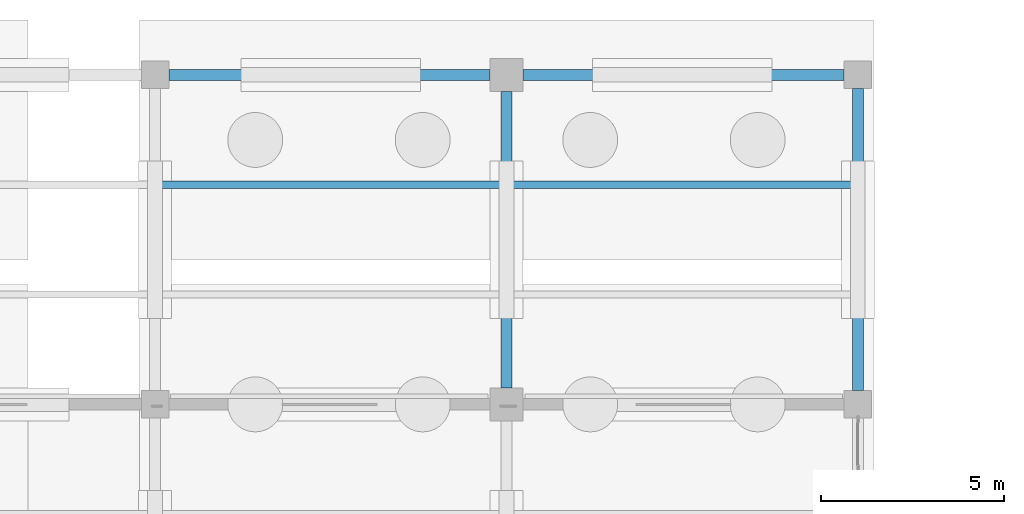
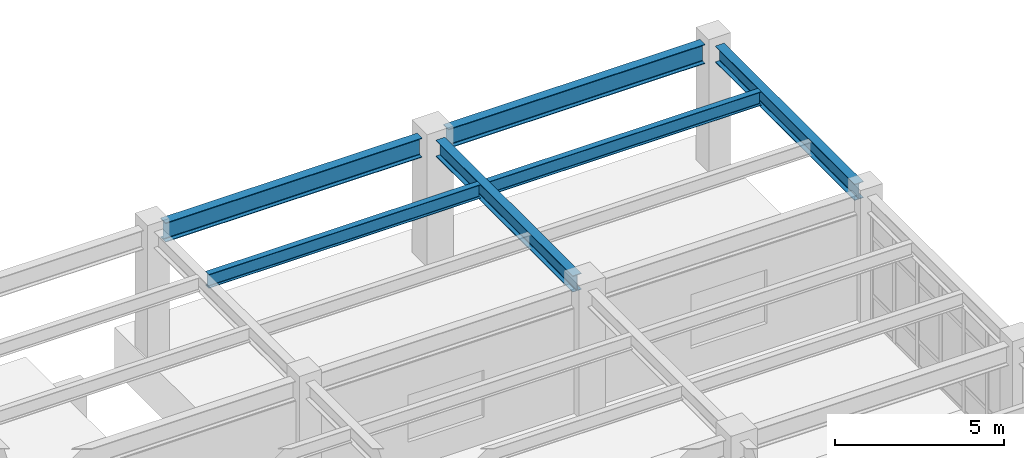
# One storey, part 85 of 139: 6 beams.
"""IFC4 building model written with IfcOpenShell, lengths in metres."""

from ifc_helpers import new_model, si_unit, direction, frame, origin, origin_2d, place, context, subcontext, project, spatial, i_section, extrude, material, material_profile, profile_set, type_object, element, save


model = new_model("IFC4")

# Units and contexts
model_context = context("Model", 3, precision=1e-05, world=origin(), true_north=direction((0.0, 1.0)))
body_context = subcontext(model_context, "Body", "Model", "MODEL_VIEW")
ifc_project = project(units=[si_unit("LENGTHUNIT", "METRE"), si_unit("AREAUNIT", "SQUARE_METRE"), si_unit("VOLUMEUNIT", "CUBIC_METRE"), si_unit("PLANEANGLEUNIT", "RADIAN"), si_unit("MASSUNIT", "GRAM", prefix="KILO")], contexts=[model_context])

# Site, building, storey
site_placement = place(None, origin())
site = spatial("IfcSite", under=ifc_project, at=site_placement, CompositionType="ELEMENT")
building_placement = place(site_placement, origin())
building = spatial("IfcBuilding", under=site, at=building_placement, Name="Canglan Escarpment Cableway Terminal", CompositionType="ELEMENT")
storey_placement = place(building_placement, frame((0.0, 0.0, 14.39990234375)))
storey = spatial("IfcBuildingStorey", under=building, at=storey_placement, Name="L03", CompositionType="ELEMENT", Elevation=14.39990234375)

# Beams
ifc_material_1 = material(Name="Steel Q355C", Category="steel")
ifc_material_profile_1 = material_profile(ifc_material_1, i_section(OverallWidth=0.302001953125, OverallDepth=0.593994140625, WebThickness=0.013916015625, FlangeThickness=0.02294921875, FilletRadius=0.028076171875, at=origin_2d()), Name="HM 594x302x14x23")
ifc_profile_set_1 = profile_set([ifc_material_profile_1], Name="Steel Q355C")
beam_type_1 = type_object("IfcBeamType", Name="BM-HM594", PredefinedType="BEAM", material=ifc_profile_set_1)
beam_1_placement = place(storey_placement, frame((156.800048828125, 115.449951171875, 4.203125), z_axis=(0.0, 1.0, 0.0), x_axis=(-1.0, 0.0, 0.0)))
element("IfcBeam", 1, at=beam_1_placement, inside=storey, type_object=beam_type_1, Name="Primary transverse girder B-07", PredefinedType="BEAM", context=body_context, shape_type="SweptSolid", body=[
    extrude(i_section(OverallWidth=0.302001953125, OverallDepth=0.593994140625, WebThickness=0.013916015625, FlangeThickness=0.02294921875, FilletRadius=0.028076171875, at=origin_2d()), origin(), (0.0, 0.0, 1.0), 8.10009765625),
])
beam_2_placement = place(storey_placement, frame((166.39990234375, 115.375, 4.203125), z_axis=(0.0, 1.0, 0.0), x_axis=(-1.0, 0.0, 0.0)))
element("IfcBeam", 2, at=beam_2_placement, inside=storey, type_object=beam_type_1, Name="Primary transverse girder B-07", PredefinedType="BEAM", context=body_context, shape_type="SweptSolid", body=[
    extrude(i_section(OverallWidth=0.302001953125, OverallDepth=0.593994140625, WebThickness=0.013916015625, FlangeThickness=0.02294921875, FilletRadius=0.028076171875, at=origin_2d()), origin(), (0.0, 0.0, 1.0), 8.25),
])
ifc_material_profile_2 = material_profile(ifc_material_1, i_section(OverallWidth=0.300048828125, OverallDepth=0.699951171875, WebThickness=0.012939453125, FlangeThickness=0.02392578125, FilletRadius=0.028076171875, at=origin_2d()), Name="HN 700x300x13x24")
ifc_profile_set_2 = profile_set([ifc_material_profile_2], Name="Steel Q355C")
beam_type_2 = type_object("IfcBeamType", Name="BM-HN700", PredefinedType="BEAM", material=ifc_profile_set_2)
beam_3_placement = place(storey_placement, frame((147.574951171875, 124.0, 4.150146484375), z_axis=(1.0, 0.0, 0.0), x_axis=(0.0, 1.0, 0.0)))
element("IfcBeam", 3, at=beam_3_placement, inside=storey, type_object=beam_type_2, Name="Primary structural girder B-06", PredefinedType="BEAM", context=body_context, shape_type="SweptSolid", body=[
    extrude(i_section(OverallWidth=0.300048828125, OverallDepth=0.699951171875, WebThickness=0.012939453125, FlangeThickness=0.02392578125, FilletRadius=0.028076171875, at=origin_2d()), origin(), (0.0, 0.0, 1.0), 8.775146484375),
])
beam_4_placement = place(storey_placement, frame((157.25, 124.0, 4.150146484375), z_axis=(1.0, 0.0, 0.0), x_axis=(0.0, 1.0, 0.0)))
element("IfcBeam", 4, at=beam_4_placement, inside=storey, type_object=beam_type_2, Name="Primary structural girder B-06", PredefinedType="BEAM", context=body_context, shape_type="SweptSolid", body=[
    extrude(i_section(OverallWidth=0.300048828125, OverallDepth=0.699951171875, WebThickness=0.012939453125, FlangeThickness=0.02392578125, FilletRadius=0.028076171875, at=origin_2d()), origin(), (0.0, 0.0, 1.0), 8.77490234375),
])
ifc_material_2 = material(Name="Steel Q355B", Category="steel")
ifc_material_profile_3 = material_profile(ifc_material_2, i_section(OverallWidth=0.199951171875, OverallDepth=0.5, WebThickness=0.010009765625, FlangeThickness=0.01611328125, FilletRadius=0.02001953125, at=origin_2d()), Name="HN 500x200x10x16")
ifc_profile_set_3 = profile_set([ifc_material_profile_3], Name="Steel Q355B")
beam_type_3 = type_object("IfcBeamType", Name="JS-HN500", PredefinedType="JOIST", material=ifc_profile_set_3)
beam_5_placement = place(storey_placement, frame((147.35107421875, 121.0, 4.25), z_axis=(1.0, 0.0, 0.0), x_axis=(0.0, 1.0, 0.0)))
element("IfcBeam", 5, at=beam_5_placement, inside=storey, type_object=beam_type_3, Name="Secondary composite deck joist J-01", PredefinedType="JOIST", context=body_context, shape_type="SweptSolid", body=[
    extrude(i_section(OverallWidth=0.199951171875, OverallDepth=0.5, WebThickness=0.010009765625, FlangeThickness=0.01611328125, FilletRadius=0.02001953125, at=origin_2d()), origin(), (0.0, 0.0, 1.0), 9.2978515625),
])
beam_6_placement = place(storey_placement, frame((156.950927734375, 121.0, 4.25), z_axis=(1.0, 0.0, 0.0), x_axis=(0.0, 1.0, 0.0)))
element("IfcBeam", 6, at=beam_6_placement, inside=storey, type_object=beam_type_3, Name="Secondary composite deck joist J-01", PredefinedType="JOIST", context=body_context, shape_type="SweptSolid", body=[
    extrude(i_section(OverallWidth=0.199951171875, OverallDepth=0.5, WebThickness=0.010009765625, FlangeThickness=0.01611328125, FilletRadius=0.02001953125, at=origin_2d()), origin(), (0.0, 0.0, 1.0), 9.298095703125),
])

save(model, "model.ifc")
